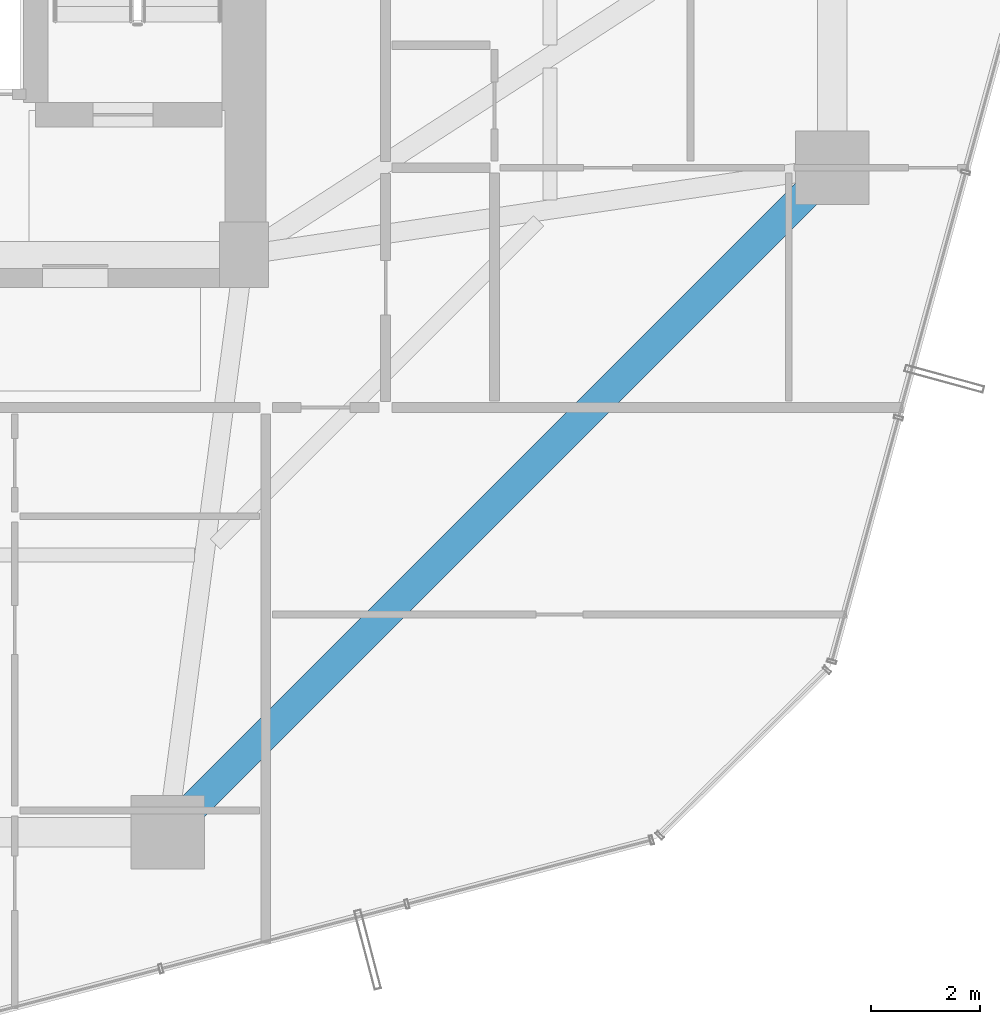
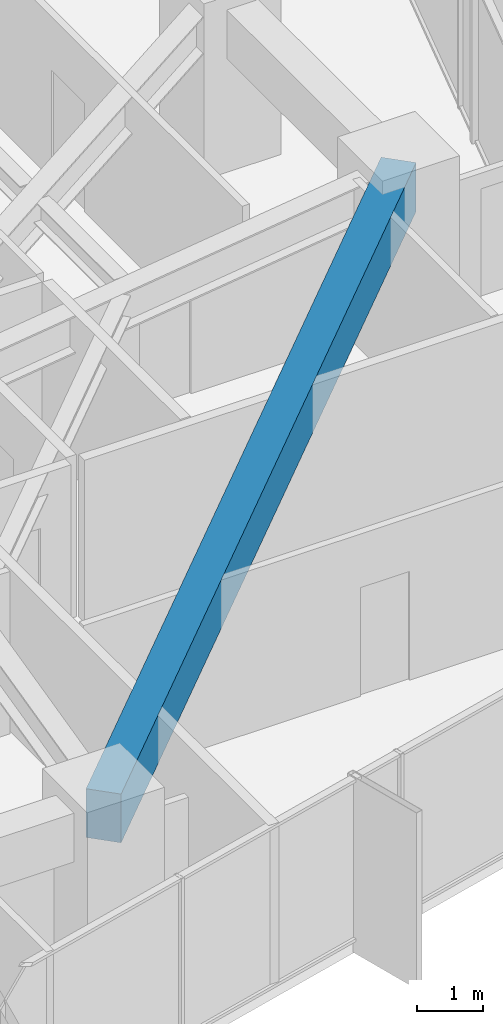
# One storey, part 14 of 39: 1 beam.
"""IFC4 building model written with IfcOpenShell, lengths in metres."""

import ifcopenshell
import ifcopenshell.guid

model = None  # the IFC model being written
_history = None  # IfcOwnerHistory: only IFC2X3 demands one
_inside = {}  # id of a spatial element -> (the spatial element, [elements in it])
_under = {}  # id of a project, library or spatial element -> (it, [spatial elements below it])
_declared = {}  # id of a project -> (the project, [libraries it declares])
_typed = {}  # id of a type object -> (the type object, [elements of that type])
_made_of = {}  # id of a material, layer set ... -> (it, [elements and type objects made of it])


def new_model(schema):
    """Start an empty IFC model of exactly this schema.

    Asked for "IFC4X3", IfcOpenShell would pick the latest addendum, in which some entities
    have other attributes; the version numbers below select the first issue.
    IFC2X3 requires an IfcOwnerHistory on every rooted entity: one is made here for all.
    """
    global model, _history
    if schema == "IFC4X3":
        model = ifcopenshell.file(schema_version=(4, 3, 0, 0))
    else:
        model = ifcopenshell.file(schema=schema)
    _inside.clear()
    _under.clear()
    _declared.clear()
    _typed.clear()
    _made_of.clear()
    _history = None
    if model.schema == "IFC2X3":
        org = make("IfcOrganization", Name="unknown")
        user = make(
            "IfcPersonAndOrganization",
            ThePerson=make("IfcPerson", FamilyName="unknown"),
            TheOrganization=org,
        )
        app = make(
            "IfcApplication",
            ApplicationDeveloper=org,
            Version="unknown",
            ApplicationFullName="unknown",
            ApplicationIdentifier="unknown",
        )
        _history = make(
            "IfcOwnerHistory",
            OwningUser=user,
            OwningApplication=app,
            ChangeAction="ADDED",
            CreationDate=0,
        )
    return model


def make(cls, **values):
    """One entity of the class cls with the attributes given. An attribute that is None is left unset."""
    return model.create_entity(
        cls, **{name: value for name, value in values.items() if value is not None}
    )


def rooted(cls, **values):
    """An entity with a GlobalId (a new one), such as an element, a storey or a relation."""
    return make(cls, GlobalId=ifcopenshell.guid.new(), OwnerHistory=_history, **values)


def si_unit(unit_type, name, prefix=None):
    """IfcSIUnit, for example si_unit("LENGTHUNIT", "METRE", prefix="MILLI")."""
    return make("IfcSIUnit", UnitType=unit_type, Prefix=prefix, Name=name)


def assignment(units):
    """IfcUnitAssignment: the units of a project."""
    return None if units is None else make("IfcUnitAssignment", Units=units)


def point(xyz):
    """IfcCartesianPoint."""
    return None if xyz is None else make("IfcCartesianPoint", Coordinates=xyz)


def direction(xyz):
    """IfcDirection."""
    return None if xyz is None else make("IfcDirection", DirectionRatios=xyz)


def frame(location, z_axis=None, x_axis=None):
    """IfcAxis2Placement3D, a coordinate frame: its origin and axes. An axis left out is left unset."""
    return make(
        "IfcAxis2Placement3D",
        Location=point(location),
        Axis=direction(z_axis),
        RefDirection=direction(x_axis),
    )


def frame_2d(location, x_axis=None):
    """IfcAxis2Placement2D, a coordinate frame in the plane: its origin and x axis."""
    return make(
        "IfcAxis2Placement2D", Location=point(location), RefDirection=direction(x_axis)
    )


def origin():
    """The frame at (0, 0, 0) with its axes left unset."""
    return frame((0.0, 0.0, 0.0))


def origin_2d():
    """The frame at (0, 0) in the plane with its x axis left unset."""
    return frame_2d((0.0, 0.0))


def place(relative_to, where):
    """IfcLocalPlacement: puts the frame where relative to a parent placement (None: the world)."""
    return make(
        "IfcLocalPlacement", PlacementRelTo=relative_to, RelativePlacement=where
    )


def context(
    kind, dimensions, precision=None, world=None, true_north=None, identifier=None
):
    """IfcGeometricRepresentationContext, for example the 3D "Model" context."""
    return make(
        "IfcGeometricRepresentationContext",
        ContextIdentifier=identifier,
        ContextType=kind,
        CoordinateSpaceDimension=dimensions,
        Precision=precision,
        WorldCoordinateSystem=world,
        TrueNorth=true_north,
    )


def subcontext(parent, identifier, kind, view, scale=None):
    """IfcGeometricRepresentationSubContext, for example "Body" below "Model"."""
    return make(
        "IfcGeometricRepresentationSubContext",
        ContextIdentifier=identifier,
        ContextType=kind,
        ParentContext=parent,
        TargetScale=scale,
        TargetView=view,
    )


def project(units=None, contexts=None):
    """IfcProject with its units and contexts."""
    return rooted(
        "IfcProject",
        Name="project",
        RepresentationContexts=contexts,
        UnitsInContext=assignment(units),
    )


def spatial(cls, under=None, at=None, **own):
    """A site, building, storey or space (cls), placed at a placement, below another one or the project."""
    s = rooted(cls, ObjectPlacement=at, **own)
    if under is not None:
        _under.setdefault(under.id(), (under, []))[1].append(s)
    return s


def profile(cls, at=None, kind="AREA", **sizes):
    """A parametric profile (cls). Its sizes go by their IFC names, for example OverallWidth=200.0."""
    return make(cls, ProfileType=kind, Position=at, **sizes)


def rectangle(**sizes):
    """IfcRectangleProfileDef."""
    return profile("IfcRectangleProfileDef", **sizes)


def extrude(swept, where, along, depth):
    """IfcExtrudedAreaSolid: the profile swept, set in the frame where, extruded along a direction by depth."""
    return make(
        "IfcExtrudedAreaSolid",
        SweptArea=swept,
        Position=where,
        ExtrudedDirection=direction(along),
        Depth=depth,
    )


def shape(context_of_items, identifier, shape_type, items):
    """IfcShapeRepresentation: the items that make up one representation, for example the "Body"."""
    return make(
        "IfcShapeRepresentation",
        ContextOfItems=context_of_items,
        RepresentationIdentifier=identifier,
        RepresentationType=shape_type,
        Items=items,
    )


def material(Name=None, Category=None):
    """IfcMaterial."""
    return make("IfcMaterial", Name=Name, Category=Category)


def material_profile(
    of_material, cross_section, Name=None, Category=None, Priority=None
):
    """IfcMaterialProfile: a cross section and its material."""
    return make(
        "IfcMaterialProfile",
        Name=Name,
        Material=of_material,
        Profile=cross_section,
        Priority=Priority,
        Category=Category,
    )


def profile_set(profiles, Name=None, composite=None):
    """IfcMaterialProfileSet."""
    return make(
        "IfcMaterialProfileSet",
        Name=Name,
        MaterialProfiles=profiles,
        CompositeProfile=composite,
    )


def made_of(thing, what):
    """Note that an element or type object is made of a material, layer set ...; save() writes the relation."""
    if what is not None:
        _made_of.setdefault(what.id(), (what, []))[1].append(thing)
    return thing


def type_object(cls, material=None, **own):
    """A type object (cls), such as IfcWallType, which elements share."""
    return made_of(rooted(cls, **own), material)


def element(
    cls,
    number,
    at=None,
    inside=None,
    cuts=None,
    type_object=None,
    material=None,
    context=None,
    identifier="Body",
    shape_type=None,
    held_by="IfcProductDefinitionShape",
    body=None,
    shapes=None,
    **own,
):
    """One element of the class cls, such as IfcWall. Its Tag is "e" and its number.

    at: its placement. inside: the storey or other place that contains it. cuts: it is an
    opening in that element (IfcRelVoidsElement). A single representation is given by context,
    identifier, shape_type and body (its items); several are given by shapes. held_by: the class
    of the entity that holds the representations. save() writes the other relations.
    """
    e = rooted(cls, Tag="e%d" % number, ObjectPlacement=at, **own)
    if body is not None:
        shapes = [shape(context, identifier, shape_type, body)]
    if shapes is not None:
        e.Representation = make(held_by, Representations=shapes)
    if inside is not None:
        _inside.setdefault(inside.id(), (inside, []))[1].append(e)
    if cuts is not None:
        rooted(
            "IfcRelVoidsElement", RelatingBuildingElement=cuts, RelatedOpeningElement=e
        )
    if type_object is not None:
        _typed.setdefault(type_object.id(), (type_object, []))[1].append(e)
    return made_of(e, material)


def aggregate(whole, parts):
    """IfcRelAggregates: a whole, such as a stair, and the parts it consists of."""
    return rooted("IfcRelAggregates", RelatingObject=whole, RelatedObjects=parts)


def save(model, path):
    """Write the relations noted so far, then the file.

    IfcRelAggregates (storeys below a building ...), IfcRelContainedInSpatialStructure (elements
    in a storey), IfcRelDefinesByType, IfcRelAssociatesMaterial and IfcRelDeclares: one each for
    every whole, place, type object, material and project.
    """
    for whole, parts in _under.values():
        aggregate(whole, parts)
    for where, things in _inside.values():
        rooted(
            "IfcRelContainedInSpatialStructure",
            RelatedElements=things,
            RelatingStructure=where,
        )
    for kind, things in _typed.values():
        rooted("IfcRelDefinesByType", RelatedObjects=things, RelatingType=kind)
    for what, things in _made_of.values():
        rooted("IfcRelAssociatesMaterial", RelatedObjects=things, RelatingMaterial=what)
    for by, libraries in _declared.values():
        rooted("IfcRelDeclares", RelatingContext=by, RelatedDefinitions=libraries)
    model.write(path)


model = new_model("IFC4")

# Units and contexts
model_context = context("Model", 3, precision=1e-05, world=origin(), true_north=direction((0.0, 1.0)))
body_context = subcontext(model_context, "Body", "Model", "MODEL_VIEW")
ifc_project = project(units=[si_unit("LENGTHUNIT", "METRE"), si_unit("AREAUNIT", "SQUARE_METRE"), si_unit("VOLUMEUNIT", "CUBIC_METRE"), si_unit("PLANEANGLEUNIT", "RADIAN"), si_unit("MASSUNIT", "GRAM", prefix="KILO")], contexts=[model_context])

# Site, building, storey
site_placement = place(None, origin())
site = spatial("IfcSite", under=ifc_project, at=site_placement, CompositionType="ELEMENT")
building_placement = place(site_placement, origin())
building = spatial("IfcBuilding", under=site, at=building_placement, Name="Veraguas Prism Commons", CompositionType="ELEMENT")
storey_placement = place(building_placement, frame((0.0, 0.0, 73.85009765625)))
storey = spatial("IfcBuildingStorey", under=building, at=storey_placement, Name="L20", CompositionType="ELEMENT", Elevation=73.85009765625)

# Beam
ifc_material = material(Name="Concrete C50/60", Category="concrete")
ifc_material_profile = material_profile(ifc_material, rectangle(XDim=0.550048828125, YDim=0.89990234375, at=origin_2d()), Name="RC550X900")
ifc_profile_set = profile_set([ifc_material_profile], Name="Concrete C50/60")
beam_type = type_object("IfcBeamType", Name="Perimeter Spandrel Lower RC 550x900", PredefinedType="SPANDREL", material=ifc_profile_set)
beam_placement = place(storey_placement, frame((29.39990234375, 6.39990234375, 2.5498046875), z_axis=(0.707106781187, 0.707106781187, 0.0), x_axis=(-0.707106781187, 0.707106781187, 0.0)))
element("IfcBeam", 1, at=beam_placement, inside=storey, type_object=beam_type, Name="Perimeter Spandrel Beam L20-SP12", PredefinedType="SPANDREL", context=body_context, shape_type="SweptSolid", body=[
    extrude(rectangle(XDim=0.550048828125, YDim=0.89990234375, at=origin_2d()), origin(), (0.0, 0.0, 1.0), 17.253662109375),
])

save(model, "model.ifc")
